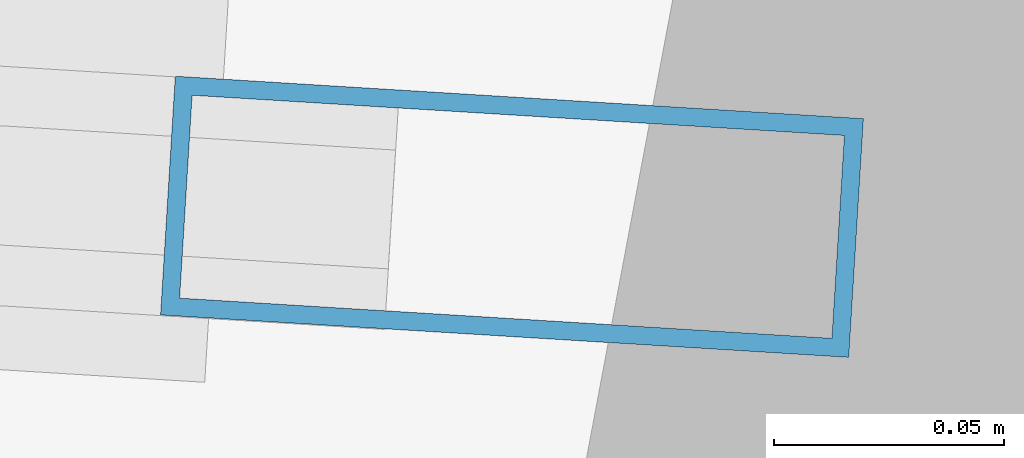
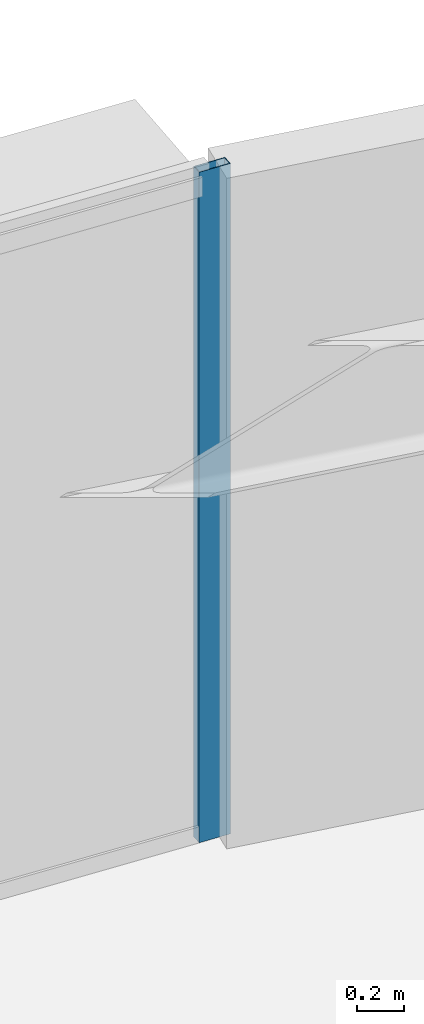
# One storey, part 6 of 18: 1 member, 1 element without a shape of its own.
"""IFC4 building model written with IfcOpenShell, lengths in metres."""

from ifc_helpers import new_model, si_unit, direction, frame, origin, origin_2d, place, context, subcontext, project, spatial, hollow_rectangle, extrude, source, transform, mapped, material, layer, layer_set, material_profile, profile_set, type_object, element, aggregate, save


model = new_model("IFC4")

# Units and contexts
model_context = context("Model", 3, precision=1e-05, world=origin(), true_north=direction((0.0, 1.0)))
body_context = subcontext(model_context, "Body", "Model", "MODEL_VIEW")
ifc_project = project(units=[si_unit("LENGTHUNIT", "METRE"), si_unit("AREAUNIT", "SQUARE_METRE"), si_unit("VOLUMEUNIT", "CUBIC_METRE"), si_unit("PLANEANGLEUNIT", "RADIAN"), si_unit("MASSUNIT", "GRAM", prefix="KILO")], contexts=[model_context])

# Site, building, storey
site_placement = place(None, origin())
site = spatial("IfcSite", under=ifc_project, at=site_placement, CompositionType="ELEMENT")
building_placement = place(site_placement, origin())
building = spatial("IfcBuilding", under=site, at=building_placement, Name="Linh Dai School and Residence Tower", CompositionType="ELEMENT")
storey_placement = place(building_placement, frame((0.0, 0.0, 123.449951171875)))
storey = spatial("IfcBuildingStorey", under=building, at=storey_placement, Name="L29", CompositionType="ELEMENT", Elevation=123.449951171875)

# Curtain wall, member
ifc_material_1 = material(Name="Aluminium Anodised Curtain Wall", Category="aluminium")
ifc_layer = layer(ifc_material_1, 0.14990234375)
ifc_layer_set = layer_set([ifc_layer], Name="Aluminium Anodised Curtain Wall")
curtain_wall_type = type_object("IfcCurtainWallType", Name="CW-SYS-4", PredefinedType="USERDEFINED", material=ifc_layer_set)
curtain_wall_placement = place(storey_placement, origin())
curtain_wall = element("IfcCurtainWall", 1, at=curtain_wall_placement, inside=storey, type_object=curtain_wall_type, Name="L29 CW4 Curtain Wall 10", ObjectType="RIBBON CURTAIN WALL", PredefinedType="USERDEFINED")
ifc_material_2 = material(Name="Aluminium Alloy 6063-T6", Category="aluminium")
ifc_material_profile = material_profile(ifc_material_2, hollow_rectangle(XDim=0.052001953125, YDim=0.14990234375, WallThickness=0.00390625, at=origin_2d()), Name="RHS 150x52x4")
ifc_profile_set = profile_set([ifc_material_profile], Name="Aluminium Alloy 6063-T6")
member_type = type_object("IfcMemberType", Name="CW-SYS-4-MUL", PredefinedType="MULLION", material=ifc_profile_set)
shared_shape = source(origin(), body_context, "Body", "SweptSolid", [
    extrude(hollow_rectangle(XDim=0.052001953125, YDim=0.14990234375, WallThickness=0.00390625, at=origin_2d()), origin(), (0.0, 0.0, 1.0), 3.5),
])
member_placement = place(storey_placement, frame((40.479736328125, 49.22900390625, 0.0), z_axis=(0.0, 0.0, 1.0), x_axis=(0.061509255091, 0.998106513123, 0.0)))
member = element("IfcMember", 2, at=member_placement, type_object=member_type, Name="CW4 mullion 3", PredefinedType="MULLION", context=body_context, shape_type="MappedRepresentation", body=[
    mapped(shared_shape, transform((0.0, 0.0, 0.0), x_axis=(1.0, 0.0, 0.0), y_axis=(0.0, 1.0, 0.0), z_axis=(0.0, 0.0, 1.0), scale=1.0)),
])
aggregate(curtain_wall, [member])

save(model, "model.ifc")
